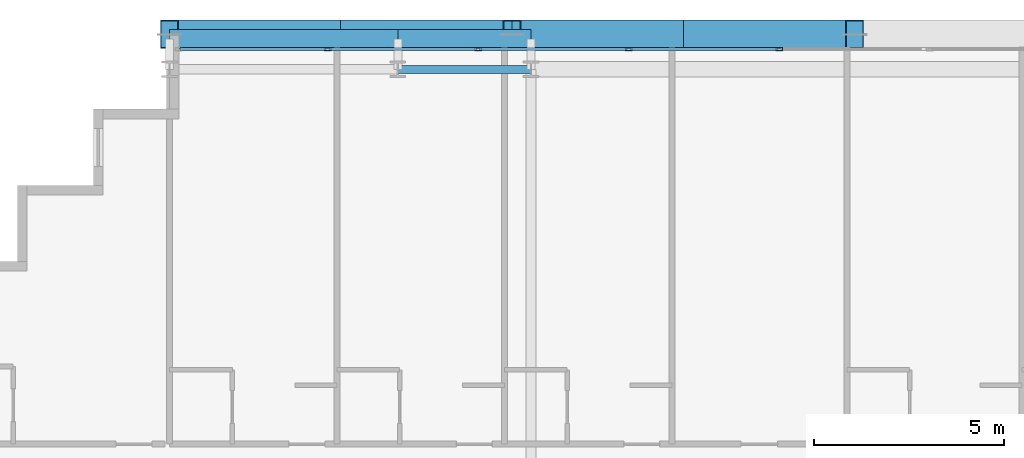
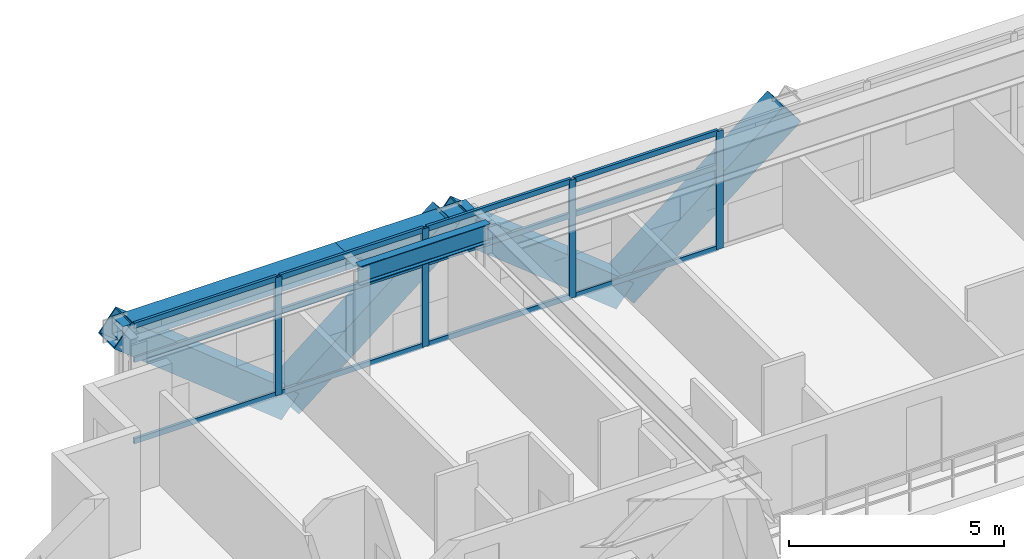
# One storey, part 18 of 36: 20 members, 3 beams, 1 element without a shape of its own.
"""IFC4 building model written with IfcOpenShell, lengths in metres."""

import ifcopenshell
import ifcopenshell.guid

model = None  # the IFC model being written
_history = None  # IfcOwnerHistory: only IFC2X3 demands one
_inside = {}  # id of a spatial element -> (the spatial element, [elements in it])
_under = {}  # id of a project, library or spatial element -> (it, [spatial elements below it])
_declared = {}  # id of a project -> (the project, [libraries it declares])
_typed = {}  # id of a type object -> (the type object, [elements of that type])
_made_of = {}  # id of a material, layer set ... -> (it, [elements and type objects made of it])


def new_model(schema):
    """Start an empty IFC model of exactly this schema.

    Asked for "IFC4X3", IfcOpenShell would pick the latest addendum, in which some entities
    have other attributes; the version numbers below select the first issue.
    IFC2X3 requires an IfcOwnerHistory on every rooted entity: one is made here for all.
    """
    global model, _history
    if schema == "IFC4X3":
        model = ifcopenshell.file(schema_version=(4, 3, 0, 0))
    else:
        model = ifcopenshell.file(schema=schema)
    _inside.clear()
    _under.clear()
    _declared.clear()
    _typed.clear()
    _made_of.clear()
    _history = None
    if model.schema == "IFC2X3":
        org = make("IfcOrganization", Name="unknown")
        user = make(
            "IfcPersonAndOrganization",
            ThePerson=make("IfcPerson", FamilyName="unknown"),
            TheOrganization=org,
        )
        app = make(
            "IfcApplication",
            ApplicationDeveloper=org,
            Version="unknown",
            ApplicationFullName="unknown",
            ApplicationIdentifier="unknown",
        )
        _history = make(
            "IfcOwnerHistory",
            OwningUser=user,
            OwningApplication=app,
            ChangeAction="ADDED",
            CreationDate=0,
        )
    return model


def make(cls, **values):
    """One entity of the class cls with the attributes given. An attribute that is None is left unset."""
    return model.create_entity(
        cls, **{name: value for name, value in values.items() if value is not None}
    )


def rooted(cls, **values):
    """An entity with a GlobalId (a new one), such as an element, a storey or a relation."""
    return make(cls, GlobalId=ifcopenshell.guid.new(), OwnerHistory=_history, **values)


def si_unit(unit_type, name, prefix=None):
    """IfcSIUnit, for example si_unit("LENGTHUNIT", "METRE", prefix="MILLI")."""
    return make("IfcSIUnit", UnitType=unit_type, Prefix=prefix, Name=name)


def assignment(units):
    """IfcUnitAssignment: the units of a project."""
    return None if units is None else make("IfcUnitAssignment", Units=units)


def point(xyz):
    """IfcCartesianPoint."""
    return None if xyz is None else make("IfcCartesianPoint", Coordinates=xyz)


def direction(xyz):
    """IfcDirection."""
    return None if xyz is None else make("IfcDirection", DirectionRatios=xyz)


def frame(location, z_axis=None, x_axis=None):
    """IfcAxis2Placement3D, a coordinate frame: its origin and axes. An axis left out is left unset."""
    return make(
        "IfcAxis2Placement3D",
        Location=point(location),
        Axis=direction(z_axis),
        RefDirection=direction(x_axis),
    )


def frame_2d(location, x_axis=None):
    """IfcAxis2Placement2D, a coordinate frame in the plane: its origin and x axis."""
    return make(
        "IfcAxis2Placement2D", Location=point(location), RefDirection=direction(x_axis)
    )


def origin():
    """The frame at (0, 0, 0) with its axes left unset."""
    return frame((0.0, 0.0, 0.0))


def origin_2d():
    """The frame at (0, 0) in the plane with its x axis left unset."""
    return frame_2d((0.0, 0.0))


def place(relative_to, where):
    """IfcLocalPlacement: puts the frame where relative to a parent placement (None: the world)."""
    return make(
        "IfcLocalPlacement", PlacementRelTo=relative_to, RelativePlacement=where
    )


def context(
    kind, dimensions, precision=None, world=None, true_north=None, identifier=None
):
    """IfcGeometricRepresentationContext, for example the 3D "Model" context."""
    return make(
        "IfcGeometricRepresentationContext",
        ContextIdentifier=identifier,
        ContextType=kind,
        CoordinateSpaceDimension=dimensions,
        Precision=precision,
        WorldCoordinateSystem=world,
        TrueNorth=true_north,
    )


def subcontext(parent, identifier, kind, view, scale=None):
    """IfcGeometricRepresentationSubContext, for example "Body" below "Model"."""
    return make(
        "IfcGeometricRepresentationSubContext",
        ContextIdentifier=identifier,
        ContextType=kind,
        ParentContext=parent,
        TargetScale=scale,
        TargetView=view,
    )


def project(units=None, contexts=None):
    """IfcProject with its units and contexts."""
    return rooted(
        "IfcProject",
        Name="project",
        RepresentationContexts=contexts,
        UnitsInContext=assignment(units),
    )


def spatial(cls, under=None, at=None, **own):
    """A site, building, storey or space (cls), placed at a placement, below another one or the project."""
    s = rooted(cls, ObjectPlacement=at, **own)
    if under is not None:
        _under.setdefault(under.id(), (under, []))[1].append(s)
    return s


def profile(cls, at=None, kind="AREA", **sizes):
    """A parametric profile (cls). Its sizes go by their IFC names, for example OverallWidth=200.0."""
    return make(cls, ProfileType=kind, Position=at, **sizes)


def hollow_rectangle(**sizes):
    """IfcRectangleHollowProfileDef."""
    return profile("IfcRectangleHollowProfileDef", **sizes)


def i_section(**sizes):
    """IfcIShapeProfileDef."""
    return profile("IfcIShapeProfileDef", **sizes)


def extrude(swept, where, along, depth):
    """IfcExtrudedAreaSolid: the profile swept, set in the frame where, extruded along a direction by depth."""
    return make(
        "IfcExtrudedAreaSolid",
        SweptArea=swept,
        Position=where,
        ExtrudedDirection=direction(along),
        Depth=depth,
    )


def shape(context_of_items, identifier, shape_type, items):
    """IfcShapeRepresentation: the items that make up one representation, for example the "Body"."""
    return make(
        "IfcShapeRepresentation",
        ContextOfItems=context_of_items,
        RepresentationIdentifier=identifier,
        RepresentationType=shape_type,
        Items=items,
    )


def source(mapping_origin, context_of_items, identifier, shape_type, items):
    """IfcRepresentationMap: a shape defined once, which mapped items show again and again."""
    return make(
        "IfcRepresentationMap",
        MappingOrigin=mapping_origin,
        MappedRepresentation=shape(context_of_items, identifier, shape_type, items),
    )


def transform(
    local_origin,
    x_axis=None,
    y_axis=None,
    z_axis=None,
    scale=None,
    scale2=None,
    scale3=None,
    uniform=True,
):
    """IfcCartesianTransformationOperator3D, or its non-uniform kind. x_axis, y_axis, z_axis: its Axis1, 2, 3."""
    if uniform:
        return make(
            "IfcCartesianTransformationOperator3D",
            Axis1=direction(x_axis),
            Axis2=direction(y_axis),
            LocalOrigin=point(local_origin),
            Scale=scale,
            Axis3=direction(z_axis),
        )
    return make(
        "IfcCartesianTransformationOperator3DnonUniform",
        Axis1=direction(x_axis),
        Axis2=direction(y_axis),
        LocalOrigin=point(local_origin),
        Scale=scale,
        Axis3=direction(z_axis),
        Scale2=scale2,
        Scale3=scale3,
    )


def mapped(mapping_source, mapping_target):
    """IfcMappedItem: shows the shape of a source again, moved by a transform."""
    return make(
        "IfcMappedItem", MappingSource=mapping_source, MappingTarget=mapping_target
    )


def material(Name=None, Category=None):
    """IfcMaterial."""
    return make("IfcMaterial", Name=Name, Category=Category)


def layer(
    of_material, thickness, ventilated=None, Name=None, Category=None, Priority=None
):
    """IfcMaterialLayer: one layer of a wall or slab, of a material (None: an air gap)."""
    return make(
        "IfcMaterialLayer",
        Material=of_material,
        LayerThickness=thickness,
        IsVentilated=ventilated,
        Name=Name,
        Category=Category,
        Priority=Priority,
    )


def layer_set(layers, Name=None):
    """IfcMaterialLayerSet."""
    return make("IfcMaterialLayerSet", MaterialLayers=layers, LayerSetName=Name)


def material_profile(
    of_material, cross_section, Name=None, Category=None, Priority=None
):
    """IfcMaterialProfile: a cross section and its material."""
    return make(
        "IfcMaterialProfile",
        Name=Name,
        Material=of_material,
        Profile=cross_section,
        Priority=Priority,
        Category=Category,
    )


def profile_set(profiles, Name=None, composite=None):
    """IfcMaterialProfileSet."""
    return make(
        "IfcMaterialProfileSet",
        Name=Name,
        MaterialProfiles=profiles,
        CompositeProfile=composite,
    )


def made_of(thing, what):
    """Note that an element or type object is made of a material, layer set ...; save() writes the relation."""
    if what is not None:
        _made_of.setdefault(what.id(), (what, []))[1].append(thing)
    return thing


def type_object(cls, material=None, **own):
    """A type object (cls), such as IfcWallType, which elements share."""
    return made_of(rooted(cls, **own), material)


def element(
    cls,
    number,
    at=None,
    inside=None,
    cuts=None,
    type_object=None,
    material=None,
    context=None,
    identifier="Body",
    shape_type=None,
    held_by="IfcProductDefinitionShape",
    body=None,
    shapes=None,
    **own,
):
    """One element of the class cls, such as IfcWall. Its Tag is "e" and its number.

    at: its placement. inside: the storey or other place that contains it. cuts: it is an
    opening in that element (IfcRelVoidsElement). A single representation is given by context,
    identifier, shape_type and body (its items); several are given by shapes. held_by: the class
    of the entity that holds the representations. save() writes the other relations.
    """
    e = rooted(cls, Tag="e%d" % number, ObjectPlacement=at, **own)
    if body is not None:
        shapes = [shape(context, identifier, shape_type, body)]
    if shapes is not None:
        e.Representation = make(held_by, Representations=shapes)
    if inside is not None:
        _inside.setdefault(inside.id(), (inside, []))[1].append(e)
    if cuts is not None:
        rooted(
            "IfcRelVoidsElement", RelatingBuildingElement=cuts, RelatedOpeningElement=e
        )
    if type_object is not None:
        _typed.setdefault(type_object.id(), (type_object, []))[1].append(e)
    return made_of(e, material)


def aggregate(whole, parts):
    """IfcRelAggregates: a whole, such as a stair, and the parts it consists of."""
    return rooted("IfcRelAggregates", RelatingObject=whole, RelatedObjects=parts)


def save(model, path):
    """Write the relations noted so far, then the file.

    IfcRelAggregates (storeys below a building ...), IfcRelContainedInSpatialStructure (elements
    in a storey), IfcRelDefinesByType, IfcRelAssociatesMaterial and IfcRelDeclares: one each for
    every whole, place, type object, material and project.
    """
    for whole, parts in _under.values():
        aggregate(whole, parts)
    for where, things in _inside.values():
        rooted(
            "IfcRelContainedInSpatialStructure",
            RelatedElements=things,
            RelatingStructure=where,
        )
    for kind, things in _typed.values():
        rooted("IfcRelDefinesByType", RelatedObjects=things, RelatingType=kind)
    for what, things in _made_of.values():
        rooted("IfcRelAssociatesMaterial", RelatedObjects=things, RelatingMaterial=what)
    for by, libraries in _declared.values():
        rooted("IfcRelDeclares", RelatingContext=by, RelatedDefinitions=libraries)
    model.write(path)


model = new_model("IFC4")

# Units and contexts
model_context = context("Model", 3, precision=1e-05, world=origin(), true_north=direction((0.0, 1.0)))
body_context = subcontext(model_context, "Body", "Model", "MODEL_VIEW")
ifc_project = project(units=[si_unit("LENGTHUNIT", "METRE"), si_unit("AREAUNIT", "SQUARE_METRE"), si_unit("VOLUMEUNIT", "CUBIC_METRE"), si_unit("PLANEANGLEUNIT", "RADIAN"), si_unit("MASSUNIT", "GRAM", prefix="KILO")], contexts=[model_context])

# Site, building, storey
site_placement = place(None, origin())
site = spatial("IfcSite", under=ifc_project, at=site_placement, CompositionType="ELEMENT")
building_placement = place(site_placement, origin())
building = spatial("IfcBuilding", under=site, at=building_placement, Name="Ocotamira Hotel", CompositionType="ELEMENT")
storey_placement = place(building_placement, frame((0.0, 0.0, 136.800048828125)))
storey = spatial("IfcBuildingStorey", under=building, at=storey_placement, Name="L34", CompositionType="ELEMENT", Elevation=136.800048828125)

# Beams
ifc_material_1 = material(Name="Steel ASTM A992 Grade 50", Category="steel")
ifc_material_profile_1 = material_profile(ifc_material_1, i_section(OverallWidth=0.2099609375, OverallDepth=0.537109375, WebThickness=0.010986328125, FlangeThickness=0.017333984375, FilletRadius=0.012939453125, at=origin_2d()), Name="W21X68")
ifc_profile_set_1 = profile_set([ifc_material_profile_1], Name="Steel ASTM A992 Grade 50")
beam_type_1 = type_object("IfcBeamType", Name="BM-SEC-W21X68", PredefinedType="JOIST", material=ifc_profile_set_1)
shared_shape_1 = source(origin(), body_context, "Body", "SweptSolid", [
    extrude(i_section(OverallWidth=0.2099609375, OverallDepth=0.537109375, WebThickness=0.010986328125, FlangeThickness=0.017333984375, FilletRadius=0.012939453125, at=origin_2d()), origin(), (0.0, 0.0, 1.0), 3.5),
])
beam_1_placement = place(storey_placement, frame((20.0, 49.050048828125, 3.091552734375), z_axis=(1.0, 0.0, 0.0), x_axis=(0.0, 1.0, 0.0)))
element("IfcBeam", 1, at=beam_1_placement, inside=storey, type_object=beam_type_1, Name="L34 Girder Y49.05 X20-23.5", PredefinedType="JOIST", context=body_context, shape_type="MappedRepresentation", body=[
    mapped(shared_shape_1, transform((0.0, 0.0, 0.0), scale=1.0)),
])
ifc_material_2 = material(Name="Steel ASTM A500 Grade C", Category="steel")
ifc_material_profile_2 = material_profile(ifc_material_2, hollow_rectangle(XDim=0.5, YDim=0.5, WallThickness=0.02001953125, at=origin_2d()), Name="HSS500X500X20")
ifc_profile_set_2 = profile_set([ifc_material_profile_2], Name="Steel ASTM A500 Grade C")
beam_type_2 = type_object("IfcBeamType", Name="BM-SPAN-HSS500", PredefinedType="USERDEFINED", material=ifc_profile_set_2)
shared_shape_2 = source(origin(), body_context, "Body", "SweptSolid", [
    extrude(hollow_rectangle(XDim=0.5, YDim=0.5, WallThickness=0.02001953125, at=origin_2d()), origin(), (0.0, 0.0, 1.0), 6.0),
])
beam_2_placement = place(storey_placement, frame((14.0, 49.85009765625, 3.10986328125), z_axis=(1.0, 0.0, 0.0), x_axis=(0.0, 1.0, 0.0)))
element("IfcBeam", 2, at=beam_2_placement, inside=storey, type_object=beam_type_2, Name="L34 Edge Spandrel N X14-20", ObjectType="SPANDREL", PredefinedType="USERDEFINED", context=body_context, shape_type="MappedRepresentation", body=[
    mapped(shared_shape_2, transform((0.0, 0.0, 0.0), scale=1.0)),
])
shared_shape_3 = source(origin(), body_context, "Body", "SweptSolid", [
    extrude(hollow_rectangle(XDim=0.5, YDim=0.5, WallThickness=0.02001953125, at=origin_2d()), origin(), (0.0, 0.0, 1.0), 3.5),
])
beam_3_placement = place(storey_placement, frame((20.0, 49.85009765625, 3.10986328125), z_axis=(1.0, 0.0, 0.0), x_axis=(0.0, 1.0, 0.0)))
element("IfcBeam", 3, at=beam_3_placement, inside=storey, type_object=beam_type_2, Name="L34 Edge Spandrel N X20-23.5", ObjectType="SPANDREL", PredefinedType="USERDEFINED", context=body_context, shape_type="MappedRepresentation", body=[
    mapped(shared_shape_3, transform((0.0, 0.0, 0.0), scale=1.0)),
])

# Members
ifc_material_3 = material(Name="Pale-metal coated steel ASTM A913 Grade 65", Category="steel")
ifc_material_profile_3 = material_profile(ifc_material_3, hollow_rectangle(XDim=0.75, YDim=0.75, WallThickness=0.028076171875, at=origin_2d()), Name="BOX750X750X28")
ifc_profile_set_3 = profile_set([ifc_material_profile_3], Name="Pale-metal coated steel ASTM A913 Grade 65")
member_type_1 = type_object("IfcMemberType", Name="MEM-EXO-BOX750", PredefinedType="BRACE", material=ifc_profile_set_3)
shared_shape_4 = source(origin(), body_context, "Body", "SweptSolid", [
    extrude(hollow_rectangle(XDim=0.75, YDim=0.75, WallThickness=0.028076171875, at=origin_2d()), origin(), (0.0, 0.0, 1.0), 5.7626953125),
])
for number, where, z_axis, x_axis, name in (
    (4, (18.5, 49.969970703125, -0.489990234375), (-0.780881208953, 0.0, 0.624679547852), (0.0, -1.0, 0.0), "L34 Exoskeleton Diagrid N0.1"),
    (5, (18.5, 49.969970703125, -0.489990234375), (0.780881208953, 0.0, 0.624679547852), (0.0, 1.0, 0.0), "L34 Exoskeleton Diagrid N0.2"),
    (6, (27.5, 49.969970703125, -0.489990234375), (-0.780881208953, 0.0, 0.624679547852), (0.0, -1.0, 0.0), "L34 Exoskeleton Diagrid N1.1"),
    (7, (27.5, 49.969970703125, -0.489990234375), (0.780881208953, 0.0, 0.624679547852), (0.0, 1.0, 0.0), "L34 Exoskeleton Diagrid N1.2"),
):
    element("IfcMember", number, at=place(storey_placement, frame(where, z_axis=z_axis, x_axis=x_axis)), inside=storey, type_object=member_type_1, Name=name, PredefinedType="BRACE", context=body_context, shape_type="MappedRepresentation", body=[
        mapped(shared_shape_4, transform((0.0, 0.0, 0.0), scale=1.0)),
    ])

# Curtain wall, members
ifc_material_4 = material(Name="Anodised pale-metal aluminium and solar glass", Category="aluminium")
ifc_layer = layer(ifc_material_4, 0.179931640625)
ifc_layer_set = layer_set([ifc_layer], Name="Anodised pale-metal aluminium and solar glass")
curtain_wall_type = type_object("IfcCurtainWallType", Name="CW-SYS3-Z2", PredefinedType="NOTDEFINED", material=ifc_layer_set)
curtain_wall_placement = place(storey_placement, origin())
curtain_wall = element("IfcCurtainWall", 8, at=curtain_wall_placement, inside=storey, type_object=curtain_wall_type, Name="L34 Curtain Wall CW-3 CW-L34-N", PredefinedType="NOTDEFINED")
ifc_material_5 = material(Name="Anodised pale-metal aluminium 6063-T6", Category="aluminium")
ifc_material_profile_4 = material_profile(ifc_material_5, hollow_rectangle(XDim=0.074951171875, YDim=0.14990234375, WallThickness=0.006103515625, at=origin_2d()), Name="HSS150X75X6")
ifc_profile_set_4 = profile_set([ifc_material_profile_4], Name="Anodised pale-metal aluminium 6063-T6")
member_type_2 = type_object("IfcMemberType", Name="CWT-150X75", PredefinedType="USERDEFINED", material=ifc_profile_set_4)
shared_shape_5 = source(origin(), body_context, "Body", "SweptSolid", [
    extrude(hollow_rectangle(XDim=0.074951171875, YDim=0.14990234375, WallThickness=0.006103515625, at=origin_2d()), origin(), (0.0, 0.0, 1.0), 3.83544921875),
])
member_1_placement = place(storey_placement, frame((14.280029296875, 49.580078125, 0.037353515625), z_axis=(1.0, 0.0, 0.0), x_axis=(0.0, 1.0, 0.0)))
member_1 = element("IfcMember", 9, at=member_1_placement, type_object=member_type_2, Name="CW-3 transom 1.1", ObjectType="TRANSOM", PredefinedType="USERDEFINED", context=body_context, shape_type="MappedRepresentation", body=[
    mapped(shared_shape_5, transform((0.0, 0.0, 0.0), scale=1.0)),
])
member_2_placement = place(storey_placement, frame((14.280029296875, 49.580078125, 2.349853515625), z_axis=(1.0, 0.0, 0.0), x_axis=(0.0, 1.0, 0.0)))
member_2 = element("IfcMember", 10, at=member_2_placement, type_object=member_type_2, Name="CW-3 transom 1.2", ObjectType="TRANSOM", PredefinedType="USERDEFINED", context=body_context, shape_type="MappedRepresentation", body=[
    mapped(shared_shape_5, transform((0.0, 0.0, 0.0), scale=1.0)),
])
member_3_placement = place(storey_placement, frame((14.280029296875, 49.580078125, 3.322509765625), z_axis=(1.0, 0.0, 0.0), x_axis=(0.0, 1.0, 0.0)))
member_3 = element("IfcMember", 11, at=member_3_placement, type_object=member_type_2, Name="CW-3 transom 1.3", ObjectType="TRANSOM", PredefinedType="USERDEFINED", context=body_context, shape_type="MappedRepresentation", body=[
    mapped(shared_shape_5, transform((0.0, 0.0, 0.0), scale=1.0)),
])
shared_shape_6 = source(origin(), body_context, "Body", "SweptSolid", [
    extrude(hollow_rectangle(XDim=0.074951171875, YDim=0.14990234375, WallThickness=0.006103515625, at=origin_2d()), origin(), (0.0, 0.0, 1.0), 3.87548828125),
])
member_4_placement = place(storey_placement, frame((18.195556640625, 49.580078125, 0.037353515625), z_axis=(1.0, 0.0, 0.0), x_axis=(0.0, 1.0, 0.0)))
member_4 = element("IfcMember", 12, at=member_4_placement, type_object=member_type_2, Name="CW-3 transom 2.1", ObjectType="TRANSOM", PredefinedType="USERDEFINED", context=body_context, shape_type="MappedRepresentation", body=[
    mapped(shared_shape_6, transform((0.0, 0.0, 0.0), scale=1.0)),
])
member_5_placement = place(storey_placement, frame((18.195556640625, 49.580078125, 2.349853515625), z_axis=(1.0, 0.0, 0.0), x_axis=(0.0, 1.0, 0.0)))
member_5 = element("IfcMember", 13, at=member_5_placement, type_object=member_type_2, Name="CW-3 transom 2.2", ObjectType="TRANSOM", PredefinedType="USERDEFINED", context=body_context, shape_type="MappedRepresentation", body=[
    mapped(shared_shape_6, transform((0.0, 0.0, 0.0), scale=1.0)),
])
member_6_placement = place(storey_placement, frame((18.195556640625, 49.580078125, 3.322509765625), z_axis=(1.0, 0.0, 0.0), x_axis=(0.0, 1.0, 0.0)))
member_6 = element("IfcMember", 14, at=member_6_placement, type_object=member_type_2, Name="CW-3 transom 2.3", ObjectType="TRANSOM", PredefinedType="USERDEFINED", context=body_context, shape_type="MappedRepresentation", body=[
    mapped(shared_shape_6, transform((0.0, 0.0, 0.0), scale=1.0)),
])
member_7_placement = place(storey_placement, frame((22.151123046875, 49.580078125, 0.037353515625), z_axis=(1.0, 0.0, 0.0), x_axis=(0.0, 1.0, 0.0)))
member_7 = element("IfcMember", 15, at=member_7_placement, type_object=member_type_2, Name="CW-3 transom 3.1", ObjectType="TRANSOM", PredefinedType="USERDEFINED", context=body_context, shape_type="MappedRepresentation", body=[
    mapped(shared_shape_6, transform((0.0, 0.0, 0.0), scale=1.0)),
])
member_8_placement = place(storey_placement, frame((22.151123046875, 49.580078125, 2.349853515625), z_axis=(1.0, 0.0, 0.0), x_axis=(0.0, 1.0, 0.0)))
member_8 = element("IfcMember", 16, at=member_8_placement, type_object=member_type_2, Name="CW-3 transom 3.2", ObjectType="TRANSOM", PredefinedType="USERDEFINED", context=body_context, shape_type="MappedRepresentation", body=[
    mapped(shared_shape_6, transform((0.0, 0.0, 0.0), scale=1.0)),
])
member_9_placement = place(storey_placement, frame((22.151123046875, 49.580078125, 3.322509765625), z_axis=(1.0, 0.0, 0.0), x_axis=(0.0, 1.0, 0.0)))
member_9 = element("IfcMember", 17, at=member_9_placement, type_object=member_type_2, Name="CW-3 transom 3.3", ObjectType="TRANSOM", PredefinedType="USERDEFINED", context=body_context, shape_type="MappedRepresentation", body=[
    mapped(shared_shape_6, transform((0.0, 0.0, 0.0), scale=1.0)),
])
member_10_placement = place(storey_placement, frame((26.106689453125, 49.580078125, 0.037353515625), z_axis=(1.0, 0.0, 0.0), x_axis=(0.0, 1.0, 0.0)))
member_10 = element("IfcMember", 18, at=member_10_placement, type_object=member_type_2, Name="CW-3 transom 4.1", ObjectType="TRANSOM", PredefinedType="USERDEFINED", context=body_context, shape_type="MappedRepresentation", body=[
    mapped(shared_shape_6, transform((0.0, 0.0, 0.0), scale=1.0)),
])
member_11_placement = place(storey_placement, frame((26.106689453125, 49.580078125, 2.349853515625), z_axis=(1.0, 0.0, 0.0), x_axis=(0.0, 1.0, 0.0)))
member_11 = element("IfcMember", 19, at=member_11_placement, type_object=member_type_2, Name="CW-3 transom 4.2", ObjectType="TRANSOM", PredefinedType="USERDEFINED", context=body_context, shape_type="MappedRepresentation", body=[
    mapped(shared_shape_6, transform((0.0, 0.0, 0.0), scale=1.0)),
])
member_12_placement = place(storey_placement, frame((26.106689453125, 49.580078125, 3.322509765625), z_axis=(1.0, 0.0, 0.0), x_axis=(0.0, 1.0, 0.0)))
member_12 = element("IfcMember", 20, at=member_12_placement, type_object=member_type_2, Name="CW-3 transom 4.3", ObjectType="TRANSOM", PredefinedType="USERDEFINED", context=body_context, shape_type="MappedRepresentation", body=[
    mapped(shared_shape_6, transform((0.0, 0.0, 0.0), scale=1.0)),
])
ifc_material_profile_5 = material_profile(ifc_material_5, hollow_rectangle(XDim=0.080078125, YDim=0.179931640625, WallThickness=0.006103515625, at=origin_2d()), Name="HSS180X80X6")
ifc_profile_set_5 = profile_set([ifc_material_profile_5], Name="Anodised pale-metal aluminium 6063-T6")
member_type_3 = type_object("IfcMemberType", Name="CWM-180X75", PredefinedType="MULLION", material=ifc_profile_set_5)
shared_shape_7 = source(origin(), body_context, "Body", "SweptSolid", [
    extrude(hollow_rectangle(XDim=0.080078125, YDim=0.179931640625, WallThickness=0.006103515625, at=origin_2d()), origin(), (0.0, 0.0, 1.0), 3.35986328125),
])
member_13_placement = place(storey_placement, frame((18.155517578125, 49.580078125, 0.0), z_axis=(0.0, 0.0, 1.0), x_axis=(0.0, 1.0, 0.0)))
member_13 = element("IfcMember", 21, at=member_13_placement, type_object=member_type_3, Name="CW-3 mullion 2", PredefinedType="MULLION", context=body_context, shape_type="MappedRepresentation", body=[
    mapped(shared_shape_7, transform((0.0, 0.0, 0.0), scale=1.0)),
])
member_14_placement = place(storey_placement, frame((22.111083984375, 49.580078125, 0.0), z_axis=(0.0, 0.0, 1.0), x_axis=(0.0, 1.0, 0.0)))
member_14 = element("IfcMember", 22, at=member_14_placement, type_object=member_type_3, Name="CW-3 mullion 3", PredefinedType="MULLION", context=body_context, shape_type="MappedRepresentation", body=[
    mapped(shared_shape_7, transform((0.0, 0.0, 0.0), scale=1.0)),
])
member_15_placement = place(storey_placement, frame((26.066650390625, 49.580078125, 0.0), z_axis=(0.0, 0.0, 1.0), x_axis=(0.0, 1.0, 0.0)))
member_15 = element("IfcMember", 23, at=member_15_placement, type_object=member_type_3, Name="CW-3 mullion 4", PredefinedType="MULLION", context=body_context, shape_type="MappedRepresentation", body=[
    mapped(shared_shape_7, transform((0.0, 0.0, 0.0), scale=1.0)),
])
member_16_placement = place(storey_placement, frame((30.022216796875, 49.580078125, 0.0), z_axis=(0.0, 0.0, 1.0), x_axis=(0.0, 1.0, 0.0)))
member_16 = element("IfcMember", 24, at=member_16_placement, type_object=member_type_3, Name="CW-3 mullion 5", PredefinedType="MULLION", context=body_context, shape_type="MappedRepresentation", body=[
    mapped(shared_shape_7, transform((0.0, 0.0, 0.0), scale=1.0)),
])
aggregate(curtain_wall, [member_13, member_14, member_15, member_16, member_1, member_2, member_3, member_4, member_5, member_6, member_7, member_8, member_9, member_10, member_11, member_12])

save(model, "model.ifc")
